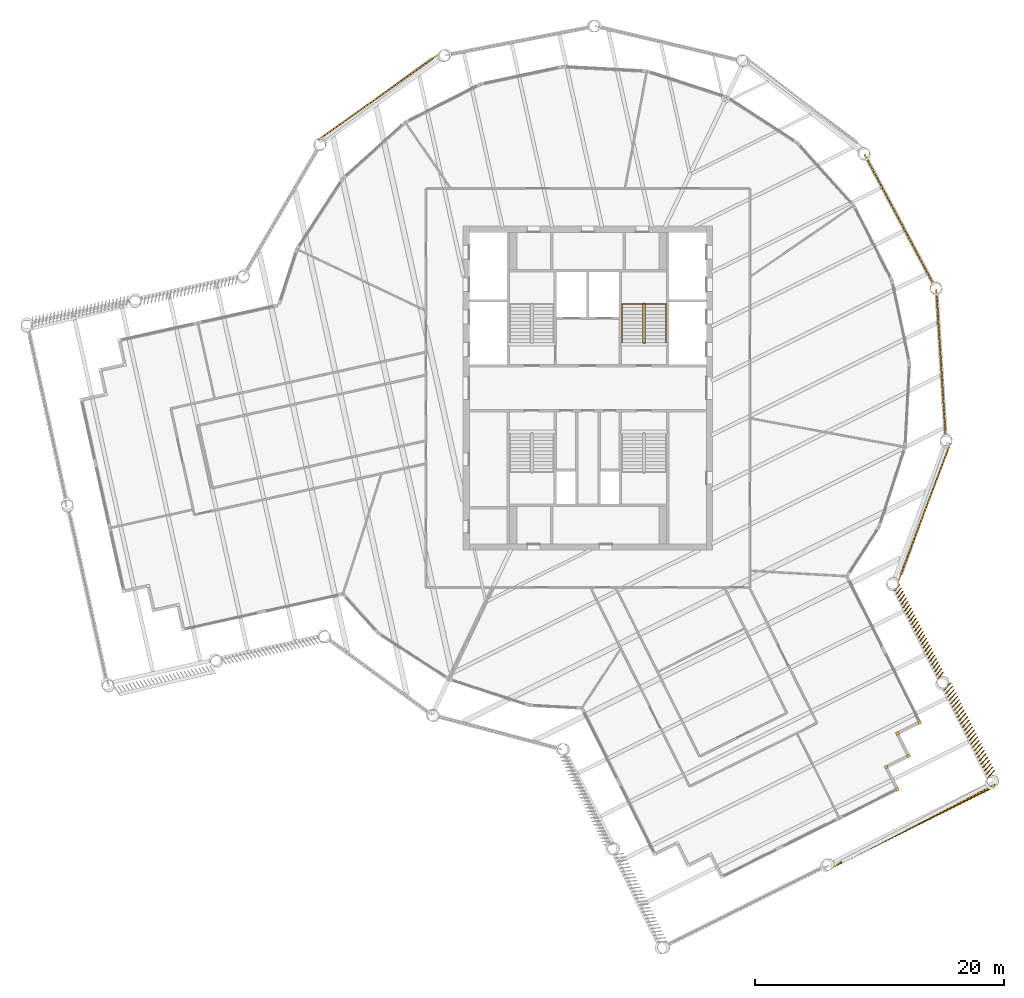
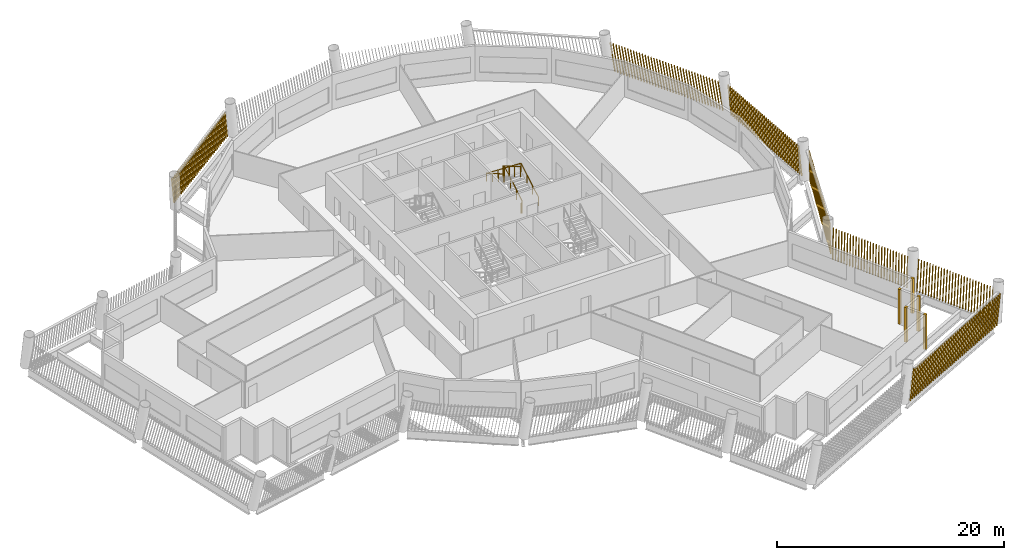
# One storey, part 12 of 14: 12 shading devices, 2 railings.
"""IFC4 building model written with IfcOpenShell, lengths in metres."""

from ifc_helpers import new_model, si_unit, direction, frame, frame_2d, origin, origin_2d, place, context, subcontext, project, spatial, rectangle, circle, composite_profile, extrude, material, type_object, element, save


model = new_model("IFC4")

# Units and contexts
model_context = context("Model", 3, precision=1e-05, world=origin(), true_north=direction((0.0, 1.0)))
body_context = subcontext(model_context, "Body", "Model", "MODEL_VIEW")
ifc_project = project(units=[si_unit("LENGTHUNIT", "METRE"), si_unit("AREAUNIT", "SQUARE_METRE"), si_unit("VOLUMEUNIT", "CUBIC_METRE"), si_unit("PLANEANGLEUNIT", "RADIAN"), si_unit("MASSUNIT", "GRAM", prefix="KILO")], contexts=[model_context])

# Site, building, storey
site_placement = place(None, origin())
site = spatial("IfcSite", under=ifc_project, at=site_placement, CompositionType="ELEMENT")
building_placement = place(site_placement, origin())
building = spatial("IfcBuilding", under=site, at=building_placement, Name="Tarsis Ring Headquarters", CompositionType="ELEMENT")
storey_placement = place(building_placement, frame((0.0, 0.0, 335.300048828125)))
storey = spatial("IfcBuildingStorey", under=building, at=storey_placement, Name="L79", CompositionType="ELEMENT", Elevation=335.300048828125)

# Railings
ifc_material_1 = material(Name="Steel S355", Category="steel")
railing_type_1 = type_object("IfcRailingType", Name="Core stair guard 1100", PredefinedType="GUARDRAIL", material=ifc_material_1)
railing_1_placement = place(storey_placement, frame((4.4599609375, 3.610107421875, 0.0)))
element("IfcRailing", 1, at=railing_1_placement, inside=storey, type_object=railing_type_1, Name="L79 ST2 stair guard 1", PredefinedType="GUARDRAIL", context=body_context, shape_type="SweptSolid", body=[
    extrude(circle(Radius=0.02392578125, at=origin_2d()), frame((0.0, 0.0, 1.076171875), z_axis=(1.0, 0.0, 0.0), x_axis=(0.0, 1.0, 0.0)), (0.0, 0.0, 1.0), 0.080078125),
    extrude(circle(Radius=0.02392578125, at=origin_2d()), frame((0.080078125, 0.0, 1.076171875), z_axis=(0.282693820306, 0.281314826061, 0.917031173188), x_axis=(-0.705375805398, 0.708833529934, 0.0)), (0.0, 0.0, 1.0), 0.177001953125),
    extrude(circle(Radius=0.02392578125, at=origin_2d()), frame((0.130126953125, 0.0498046875, 1.23828125), z_axis=(0.0, 0.864890721111, 0.501960198159), x_axis=(-1.0, 0.0, 0.0)), (0.0, 0.0, 1.0), 3.561279296875),
    extrude(circle(Radius=0.02392578125, at=origin_2d()), frame((0.130126953125, 3.1298828125, 3.02587890625), z_axis=(-0.707106781187, 0.707106781187, 0.0), x_axis=(-0.707106781187, -0.707106781187, 0.0)), (0.0, 0.0, 1.0), 0.07080078125),
    extrude(circle(Radius=0.02392578125, at=origin_2d()), frame((0.080078125, 3.179931640625, 3.02587890625), z_axis=(-1.0, 0.0, 0.0), x_axis=(0.0, -1.0, 0.0)), (0.0, 0.0, 1.0), 0.080078125),
    extrude(circle(Radius=0.02392578125, at=origin_2d()), frame((0.0, 3.179931640625, 3.02587890625), z_axis=(-0.282227285176, -0.282227285176, 0.916894497205), x_axis=(0.707106781187, -0.707106781187, 0.0)), (0.0, 0.0, 1.0), 0.17724609375),
    extrude(circle(Radius=0.02392578125, at=origin_2d()), frame((-0.050048828125, 3.1298828125, 3.1884765625), z_axis=(0.0, -0.864920483161, 0.501908913857), x_axis=(1.0, 0.0, 0.0)), (0.0, 0.0, 1.0), 3.56103515625),
    extrude(circle(Radius=0.02099609375, at=origin_2d()), origin(), (0.0, 0.0, 1.0), 1.052001953125),
    extrude(circle(Radius=0.02099609375, at=origin_2d()), frame((0.080078125, 0.0, 0.0)), (0.0, 0.0, 1.0), 1.052001953125),
    extrude(circle(Radius=0.02099609375, at=origin_2d()), frame((0.130126953125, 0.0498046875, 0.162353515625)), (0.0, 0.0, 1.0), 1.052001953125),
    extrude(circle(Radius=0.02099609375, at=origin_2d()), frame((0.130126953125, 1.076416015625, 0.75830078125)), (0.0, 0.0, 1.0), 1.052001953125),
    extrude(circle(Radius=0.02099609375, at=origin_2d()), frame((0.130126953125, 2.103271484375, 1.35400390625)), (0.0, 0.0, 1.0), 1.052001953125),
    extrude(circle(Radius=0.02099609375, at=origin_2d()), frame((0.130126953125, 3.1298828125, 1.949951171875)), (0.0, 0.0, 1.0), 1.052001953125),
    extrude(circle(Radius=0.02099609375, at=origin_2d()), frame((0.080078125, 3.179931640625, 1.949951171875)), (0.0, 0.0, 1.0), 1.052001953125),
    extrude(circle(Radius=0.02099609375, at=origin_2d()), frame((0.0, 3.179931640625, 1.949951171875)), (0.0, 0.0, 1.0), 1.052001953125),
    extrude(circle(Radius=0.02099609375, at=origin_2d()), frame((-0.050048828125, 3.1298828125, 2.112548828125)), (0.0, 0.0, 1.0), 1.052001953125),
    extrude(circle(Radius=0.02099609375, at=origin_2d()), frame((-0.050048828125, 2.103271484375, 2.708251953125)), (0.0, 0.0, 1.0), 1.052001953125),
    extrude(circle(Radius=0.02099609375, at=origin_2d()), frame((-0.050048828125, 1.076416015625, 3.30419921875)), (0.0, 0.0, 1.0), 1.052001953125),
    extrude(circle(Radius=0.02099609375, at=origin_2d()), frame((-0.050048828125, 0.0498046875, 3.89990234375)), (0.0, 0.0, 1.0), 1.052001953125),
])
railing_type_2 = type_object("IfcRailingType", Name="Core stair handrail 900", PredefinedType="HANDRAIL", material=ifc_material_1)
railing_2_placement = place(storey_placement, frame((6.25, 3.659912109375, 0.162353515625)))
element("IfcRailing", 2, at=railing_2_placement, inside=storey, type_object=railing_type_2, Name="L79 ST2 stair handrail 1", PredefinedType="HANDRAIL", context=body_context, shape_type="SweptSolid", body=[
    extrude(circle(Radius=0.02392578125, at=origin_2d()), frame((0.0, 0.0, 0.8759765625), z_axis=(0.0, 0.864890721111, 0.501960198159), x_axis=(-1.0, 0.0, 0.0)), (0.0, 0.0, 1.0), 3.561279296875),
    extrude(circle(Radius=0.02392578125, at=origin_2d()), frame((0.0, 3.080078125, 2.66357421875), z_axis=(-0.998922641604, 0.0, 0.046406422943), x_axis=(0.0, -1.0, 0.0)), (0.0, 0.0, 1.0), 3.503662109375),
    extrude(circle(Radius=0.02392578125, at=origin_2d()), frame((-3.5, 3.080078125, 2.826171875), z_axis=(0.0, -0.864920483161, 0.501908913857), x_axis=(1.0, 0.0, 0.0)), (0.0, 0.0, 1.0), 3.56103515625),
    extrude(circle(Radius=0.02099609375, at=origin_2d()), origin(), (0.0, 0.0, 1.0), 0.851806640625),
    extrude(circle(Radius=0.02099609375, at=origin_2d()), frame((0.0, 1.026611328125, 0.595947265625)), (0.0, 0.0, 1.0), 0.851806640625),
    extrude(circle(Radius=0.02099609375, at=origin_2d()), frame((0.0, 2.053466796875, 1.191650390625)), (0.0, 0.0, 1.0), 0.851806640625),
    extrude(circle(Radius=0.02099609375, at=origin_2d()), frame((0.0, 3.080078125, 1.78759765625)), (0.0, 0.0, 1.0), 0.851806640625),
    extrude(circle(Radius=0.02099609375, at=origin_2d()), frame((-1.166748046875, 3.080078125, 1.841796875)), (0.0, 0.0, 1.0), 0.851806640625),
    extrude(circle(Radius=0.02099609375, at=origin_2d()), frame((-2.333251953125, 3.080078125, 1.89599609375)), (0.0, 0.0, 1.0), 0.851806640625),
    extrude(circle(Radius=0.02099609375, at=origin_2d()), frame((-3.5, 3.080078125, 1.9501953125)), (0.0, 0.0, 1.0), 0.851806640625),
    extrude(circle(Radius=0.02099609375, at=origin_2d()), frame((-3.5, 2.053466796875, 2.5458984375)), (0.0, 0.0, 1.0), 0.851806640625),
    extrude(circle(Radius=0.02099609375, at=origin_2d()), frame((-3.5, 1.026611328125, 3.141845703125)), (0.0, 0.0, 1.0), 0.851806640625),
    extrude(circle(Radius=0.02099609375, at=origin_2d()), frame((-3.5, 0.0, 3.737548828125)), (0.0, 0.0, 1.0), 0.851806640625),
])

# Shading devices
ifc_material_2 = material(Name="Terracotta baguette", Category="masonry")
shading_device_type_1 = type_object("IfcShadingDeviceType", Name="Terracotta baguette screen", PredefinedType="USERDEFINED", material=ifc_material_2)
shading_device_1_placement = place(storey_placement, frame((19.69873046875, -38.422607421875, 0.0), z_axis=(0.0, 0.0, 1.0), x_axis=(0.895088811832, 0.445899087113, 0.0)))
element("IfcShadingDevice", 3, at=shading_device_1_placement, inside=storey, type_object=shading_device_type_1, Name="Baguette screen L79-04", ObjectType="Terracotta baguette screen", PredefinedType="USERDEFINED", context=body_context, shape_type="SweptSolid", body=[
    extrude(composite_profile([rectangle(XDim=0.06005859375, YDim=0.1201171875, at=frame_2d((0.030029296875, 0.0))), rectangle(XDim=0.06005859375, YDim=0.1201171875, at=frame_2d((0.33544921875, 0.0))), rectangle(XDim=0.06005859375, YDim=0.1201171875, at=frame_2d((0.640625, 0.0))), rectangle(XDim=0.06005859375, YDim=0.1201171875, at=frame_2d((0.946044921875, 0.0))), rectangle(XDim=0.06005859375, YDim=0.1201171875, at=frame_2d((1.25146484375, 0.0))), rectangle(XDim=0.06005859375, YDim=0.1201171875, at=frame_2d((1.556640625, 0.0))), rectangle(XDim=0.06005859375, YDim=0.1201171875, at=frame_2d((1.862060546875, 0.0))), rectangle(XDim=0.06005859375, YDim=0.1201171875, at=frame_2d((2.16748046875, 0.0))), rectangle(XDim=0.06005859375, YDim=0.1201171875, at=frame_2d((2.47265625, 0.0))), rectangle(XDim=0.06005859375, YDim=0.1201171875, at=frame_2d((2.778076171875, 0.0))), rectangle(XDim=0.06005859375, YDim=0.1201171875, at=frame_2d((3.08349609375, 0.0))), rectangle(XDim=0.06005859375, YDim=0.1201171875, at=frame_2d((3.388671875, 0.0))), rectangle(XDim=0.06005859375, YDim=0.1201171875, at=frame_2d((3.694091796875, 0.0))), rectangle(XDim=0.06005859375, YDim=0.1201171875, at=frame_2d((3.99951171875, 0.0))), rectangle(XDim=0.06005859375, YDim=0.1201171875, at=frame_2d((4.3046875, 0.0))), rectangle(XDim=0.06005859375, YDim=0.1201171875, at=frame_2d((4.610107421875, 0.0))), rectangle(XDim=0.06005859375, YDim=0.1201171875, at=frame_2d((4.91552734375, 0.0))), rectangle(XDim=0.06005859375, YDim=0.1201171875, at=frame_2d((5.220703125, 0.0))), rectangle(XDim=0.06005859375, YDim=0.1201171875, at=frame_2d((5.526123046875, 0.0))), rectangle(XDim=0.06005859375, YDim=0.1201171875, at=frame_2d((5.83154296875, 0.0))), rectangle(XDim=0.06005859375, YDim=0.1201171875, at=frame_2d((6.13671875, 0.0))), rectangle(XDim=0.06005859375, YDim=0.1201171875, at=frame_2d((6.442138671875, 0.0))), rectangle(XDim=0.06005859375, YDim=0.1201171875, at=frame_2d((6.74755859375, 0.0))), rectangle(XDim=0.06005859375, YDim=0.1201171875, at=frame_2d((7.052734375, 0.0))), rectangle(XDim=0.06005859375, YDim=0.1201171875, at=frame_2d((7.358154296875, 0.0))), rectangle(XDim=0.06005859375, YDim=0.1201171875, at=frame_2d((7.66357421875, 0.0))), rectangle(XDim=0.06005859375, YDim=0.1201171875, at=frame_2d((7.96875, 0.0))), rectangle(XDim=0.06005859375, YDim=0.1201171875, at=frame_2d((8.274169921875, 0.0))), rectangle(XDim=0.06005859375, YDim=0.1201171875, at=frame_2d((8.57958984375, 0.0))), rectangle(XDim=0.06005859375, YDim=0.1201171875, at=frame_2d((8.884765625, 0.0))), rectangle(XDim=0.06005859375, YDim=0.1201171875, at=frame_2d((9.190185546875, 0.0))), rectangle(XDim=0.06005859375, YDim=0.1201171875, at=frame_2d((9.49560546875, 0.0))), rectangle(XDim=0.06005859375, YDim=0.1201171875, at=frame_2d((9.80078125, 0.0))), rectangle(XDim=0.06005859375, YDim=0.1201171875, at=frame_2d((10.106201171875, 0.0))), rectangle(XDim=0.06005859375, YDim=0.1201171875, at=frame_2d((10.41162109375, 0.0))), rectangle(XDim=0.06005859375, YDim=0.1201171875, at=frame_2d((10.716796875, 0.0))), rectangle(XDim=0.06005859375, YDim=0.1201171875, at=frame_2d((11.022216796875, 0.0))), rectangle(XDim=0.06005859375, YDim=0.1201171875, at=frame_2d((11.32763671875, 0.0))), rectangle(XDim=0.06005859375, YDim=0.1201171875, at=frame_2d((11.6328125, 0.0))), rectangle(XDim=0.06005859375, YDim=0.1201171875, at=frame_2d((11.938232421875, 0.0))), rectangle(XDim=0.06005859375, YDim=0.1201171875, at=frame_2d((12.24365234375, 0.0))), rectangle(XDim=0.06005859375, YDim=0.1201171875, at=frame_2d((12.548828125, 0.0))), rectangle(XDim=0.06005859375, YDim=0.1201171875, at=frame_2d((12.854248046875, 0.0))), rectangle(XDim=0.06005859375, YDim=0.1201171875, at=frame_2d((13.15966796875, 0.0))), rectangle(XDim=0.06005859375, YDim=0.1201171875, at=frame_2d((13.46484375, 0.0))), rectangle(XDim=0.06005859375, YDim=0.1201171875, at=frame_2d((13.770263671875, 0.0)))]), origin(), (0.254661184402, 0.046027552718, 0.965934338115), 3.072509765625),
])
shading_device_2_placement = place(storey_placement, frame((32.1083984375, -31.26318359375, 0.0), z_axis=(0.0, 0.0, 1.0), x_axis=(-0.445903361345, 0.895081562037, 0.0)))
element("IfcShadingDevice", 4, at=shading_device_2_placement, inside=storey, type_object=shading_device_type_1, Name="Baguette screen L79-05", ObjectType="Terracotta baguette screen", PredefinedType="USERDEFINED", context=body_context, shape_type="SweptSolid", body=[
    extrude(composite_profile([rectangle(XDim=0.06005859375, YDim=0.1201171875, at=frame_2d((0.030029296875, 0.0))), rectangle(XDim=0.06005859375, YDim=0.1201171875, at=frame_2d((0.33154296875, 0.0))), rectangle(XDim=0.06005859375, YDim=0.1201171875, at=frame_2d((0.63330078125, 0.0))), rectangle(XDim=0.06005859375, YDim=0.1201171875, at=frame_2d((0.934814453125, 0.0))), rectangle(XDim=0.06005859375, YDim=0.1201171875, at=frame_2d((1.236572265625, 0.0))), rectangle(XDim=0.06005859375, YDim=0.1201171875, at=frame_2d((1.5380859375, 0.0))), rectangle(XDim=0.06005859375, YDim=0.1201171875, at=frame_2d((1.83984375, 0.0))), rectangle(XDim=0.06005859375, YDim=0.1201171875, at=frame_2d((2.141357421875, 0.0))), rectangle(XDim=0.06005859375, YDim=0.1201171875, at=frame_2d((2.443115234375, 0.0))), rectangle(XDim=0.06005859375, YDim=0.1201171875, at=frame_2d((2.74462890625, 0.0))), rectangle(XDim=0.06005859375, YDim=0.1201171875, at=frame_2d((3.04638671875, 0.0))), rectangle(XDim=0.06005859375, YDim=0.1201171875, at=frame_2d((3.347900390625, 0.0))), rectangle(XDim=0.06005859375, YDim=0.1201171875, at=frame_2d((3.649658203125, 0.0))), rectangle(XDim=0.06005859375, YDim=0.1201171875, at=frame_2d((3.951171875, 0.0))), rectangle(XDim=0.06005859375, YDim=0.1201171875, at=frame_2d((4.252685546875, 0.0))), rectangle(XDim=0.06005859375, YDim=0.1201171875, at=frame_2d((4.554443359375, 0.0))), rectangle(XDim=0.06005859375, YDim=0.1201171875, at=frame_2d((4.85595703125, 0.0))), rectangle(XDim=0.06005859375, YDim=0.1201171875, at=frame_2d((5.15771484375, 0.0))), rectangle(XDim=0.06005859375, YDim=0.1201171875, at=frame_2d((5.459228515625, 0.0))), rectangle(XDim=0.06005859375, YDim=0.1201171875, at=frame_2d((5.760986328125, 0.0))), rectangle(XDim=0.06005859375, YDim=0.1201171875, at=frame_2d((6.0625, 0.0))), rectangle(XDim=0.06005859375, YDim=0.1201171875, at=frame_2d((6.3642578125, 0.0))), rectangle(XDim=0.06005859375, YDim=0.1201171875, at=frame_2d((6.665771484375, 0.0))), rectangle(XDim=0.06005859375, YDim=0.1201171875, at=frame_2d((6.967529296875, 0.0))), rectangle(XDim=0.06005859375, YDim=0.1201171875, at=frame_2d((7.26904296875, 0.0))), rectangle(XDim=0.06005859375, YDim=0.1201171875, at=frame_2d((7.57080078125, 0.0))), rectangle(XDim=0.06005859375, YDim=0.1201171875, at=frame_2d((7.872314453125, 0.0)))]), origin(), (0.089843037311, -0.226662640514, 0.969820744283), 3.06005859375),
])
shading_device_3_placement = place(storey_placement, frame((28.138916015625, -23.294921875, 0.0), z_axis=(0.0, 0.0, 1.0), x_axis=(-0.445872466634, 0.895081562037, 0.0)))
element("IfcShadingDevice", 5, at=shading_device_3_placement, inside=storey, type_object=shading_device_type_1, Name="Baguette screen L79-06", ObjectType="Terracotta baguette screen", PredefinedType="USERDEFINED", context=body_context, shape_type="SweptSolid", body=[
    extrude(composite_profile([rectangle(XDim=0.06005859375, YDim=0.1201171875, at=frame_2d((0.030029296875, 0.0))), rectangle(XDim=0.06005859375, YDim=0.1201171875, at=frame_2d((0.33154296875, 0.0))), rectangle(XDim=0.06005859375, YDim=0.1201171875, at=frame_2d((0.63330078125, 0.0))), rectangle(XDim=0.06005859375, YDim=0.1201171875, at=frame_2d((0.934814453125, 0.0))), rectangle(XDim=0.06005859375, YDim=0.1201171875, at=frame_2d((1.236572265625, 0.0))), rectangle(XDim=0.06005859375, YDim=0.1201171875, at=frame_2d((1.5380859375, 0.0))), rectangle(XDim=0.06005859375, YDim=0.1201171875, at=frame_2d((1.83984375, 0.0))), rectangle(XDim=0.06005859375, YDim=0.1201171875, at=frame_2d((2.141357421875, 0.0))), rectangle(XDim=0.06005859375, YDim=0.1201171875, at=frame_2d((2.443115234375, 0.0))), rectangle(XDim=0.06005859375, YDim=0.1201171875, at=frame_2d((2.74462890625, 0.0))), rectangle(XDim=0.06005859375, YDim=0.1201171875, at=frame_2d((3.04638671875, 0.0))), rectangle(XDim=0.06005859375, YDim=0.1201171875, at=frame_2d((3.347900390625, 0.0))), rectangle(XDim=0.06005859375, YDim=0.1201171875, at=frame_2d((3.649658203125, 0.0))), rectangle(XDim=0.06005859375, YDim=0.1201171875, at=frame_2d((3.951171875, 0.0))), rectangle(XDim=0.06005859375, YDim=0.1201171875, at=frame_2d((4.252685546875, 0.0))), rectangle(XDim=0.06005859375, YDim=0.1201171875, at=frame_2d((4.554443359375, 0.0))), rectangle(XDim=0.06005859375, YDim=0.1201171875, at=frame_2d((4.85595703125, 0.0))), rectangle(XDim=0.06005859375, YDim=0.1201171875, at=frame_2d((5.15771484375, 0.0))), rectangle(XDim=0.06005859375, YDim=0.1201171875, at=frame_2d((5.459228515625, 0.0))), rectangle(XDim=0.06005859375, YDim=0.1201171875, at=frame_2d((5.760986328125, 0.0))), rectangle(XDim=0.06005859375, YDim=0.1201171875, at=frame_2d((6.0625, 0.0))), rectangle(XDim=0.06005859375, YDim=0.1201171875, at=frame_2d((6.3642578125, 0.0))), rectangle(XDim=0.06005859375, YDim=0.1201171875, at=frame_2d((6.665771484375, 0.0))), rectangle(XDim=0.06005859375, YDim=0.1201171875, at=frame_2d((6.967529296875, 0.0))), rectangle(XDim=0.06005859375, YDim=0.1201171875, at=frame_2d((7.26904296875, 0.0))), rectangle(XDim=0.06005859375, YDim=0.1201171875, at=frame_2d((7.57080078125, 0.0))), rectangle(XDim=0.06005859375, YDim=0.1201171875, at=frame_2d((7.872314453125, 0.0)))]), origin(), (0.090332523298, -0.175732039125, 0.98028479824), 3.02734375),
])
shading_device_4_placement = place(storey_placement, frame((24.920166015625, -15.439208984375, 0.0), z_axis=(0.0, 0.0, 1.0), x_axis=(0.353763347513, 0.935324246896, 0.0)))
element("IfcShadingDevice", 6, at=shading_device_4_placement, inside=storey, type_object=shading_device_type_1, Name="Baguette screen L79-07", ObjectType="Terracotta baguette screen", PredefinedType="USERDEFINED", context=body_context, shape_type="SweptSolid", body=[
    extrude(composite_profile([rectangle(XDim=0.06005859375, YDim=0.1201171875, at=frame_2d((0.030029296875, 0.0))), rectangle(XDim=0.06005859375, YDim=0.1201171875, at=frame_2d((0.33251953125, 0.0))), rectangle(XDim=0.06005859375, YDim=0.1201171875, at=frame_2d((0.634765625, 0.0))), rectangle(XDim=0.06005859375, YDim=0.1201171875, at=frame_2d((0.937255859375, 0.0))), rectangle(XDim=0.06005859375, YDim=0.1201171875, at=frame_2d((1.239501953125, 0.0))), rectangle(XDim=0.06005859375, YDim=0.1201171875, at=frame_2d((1.5419921875, 0.0))), rectangle(XDim=0.06005859375, YDim=0.1201171875, at=frame_2d((1.844482421875, 0.0))), rectangle(XDim=0.06005859375, YDim=0.1201171875, at=frame_2d((2.146728515625, 0.0))), rectangle(XDim=0.06005859375, YDim=0.1201171875, at=frame_2d((2.44921875, 0.0))), rectangle(XDim=0.06005859375, YDim=0.1201171875, at=frame_2d((2.751708984375, 0.0))), rectangle(XDim=0.06005859375, YDim=0.1201171875, at=frame_2d((3.053955078125, 0.0))), rectangle(XDim=0.06005859375, YDim=0.1201171875, at=frame_2d((3.3564453125, 0.0))), rectangle(XDim=0.06005859375, YDim=0.1201171875, at=frame_2d((3.65869140625, 0.0))), rectangle(XDim=0.06005859375, YDim=0.1201171875, at=frame_2d((3.961181640625, 0.0))), rectangle(XDim=0.06005859375, YDim=0.1201171875, at=frame_2d((4.263671875, 0.0))), rectangle(XDim=0.06005859375, YDim=0.1201171875, at=frame_2d((4.56591796875, 0.0))), rectangle(XDim=0.06005859375, YDim=0.1201171875, at=frame_2d((4.868408203125, 0.0))), rectangle(XDim=0.06005859375, YDim=0.1201171875, at=frame_2d((5.1708984375, 0.0))), rectangle(XDim=0.06005859375, YDim=0.1201171875, at=frame_2d((5.47314453125, 0.0))), rectangle(XDim=0.06005859375, YDim=0.1201171875, at=frame_2d((5.775634765625, 0.0))), rectangle(XDim=0.06005859375, YDim=0.1201171875, at=frame_2d((6.077880859375, 0.0))), rectangle(XDim=0.06005859375, YDim=0.1201171875, at=frame_2d((6.38037109375, 0.0))), rectangle(XDim=0.06005859375, YDim=0.1201171875, at=frame_2d((6.682861328125, 0.0))), rectangle(XDim=0.06005859375, YDim=0.1201171875, at=frame_2d((6.985107421875, 0.0))), rectangle(XDim=0.06005859375, YDim=0.1201171875, at=frame_2d((7.28759765625, 0.0))), rectangle(XDim=0.06005859375, YDim=0.1201171875, at=frame_2d((7.590087890625, 0.0))), rectangle(XDim=0.06005859375, YDim=0.1201171875, at=frame_2d((7.892333984375, 0.0))), rectangle(XDim=0.06005859375, YDim=0.1201171875, at=frame_2d((8.19482421875, 0.0))), rectangle(XDim=0.06005859375, YDim=0.1201171875, at=frame_2d((8.4970703125, 0.0))), rectangle(XDim=0.06005859375, YDim=0.1201171875, at=frame_2d((8.799560546875, 0.0))), rectangle(XDim=0.06005859375, YDim=0.1201171875, at=frame_2d((9.10205078125, 0.0))), rectangle(XDim=0.06005859375, YDim=0.1201171875, at=frame_2d((9.404296875, 0.0))), rectangle(XDim=0.06005859375, YDim=0.1201171875, at=frame_2d((9.706787109375, 0.0))), rectangle(XDim=0.06005859375, YDim=0.1201171875, at=frame_2d((10.00927734375, 0.0))), rectangle(XDim=0.06005859375, YDim=0.1201171875, at=frame_2d((10.3115234375, 0.0))), rectangle(XDim=0.06005859375, YDim=0.1201171875, at=frame_2d((10.614013671875, 0.0))), rectangle(XDim=0.06005859375, YDim=0.1201171875, at=frame_2d((10.916259765625, 0.0))), rectangle(XDim=0.06005859375, YDim=0.1201171875, at=frame_2d((11.21875, 0.0)))]), origin(), (0.173291910765, 0.001570390022, 0.984869254033), 3.013427734375),
])
shading_device_5_placement = place(storey_placement, frame((28.6943359375, -3.818359375, 0.0), z_axis=(0.0, 0.0, 1.0), x_axis=(-0.063201302225, 0.998003255562, 0.0)))
element("IfcShadingDevice", 7, at=shading_device_5_placement, inside=storey, type_object=shading_device_type_1, Name="Baguette screen L79-08", ObjectType="Terracotta baguette screen", PredefinedType="USERDEFINED", context=body_context, shape_type="SweptSolid", body=[
    extrude(composite_profile([rectangle(XDim=0.06005859375, YDim=0.1201171875, at=frame_2d((0.030029296875, 0.0))), rectangle(XDim=0.06005859375, YDim=0.1201171875, at=frame_2d((0.33251953125, 0.0))), rectangle(XDim=0.06005859375, YDim=0.1201171875, at=frame_2d((0.634765625, 0.0))), rectangle(XDim=0.06005859375, YDim=0.1201171875, at=frame_2d((0.937255859375, 0.0))), rectangle(XDim=0.06005859375, YDim=0.1201171875, at=frame_2d((1.239501953125, 0.0))), rectangle(XDim=0.06005859375, YDim=0.1201171875, at=frame_2d((1.5419921875, 0.0))), rectangle(XDim=0.06005859375, YDim=0.1201171875, at=frame_2d((1.844482421875, 0.0))), rectangle(XDim=0.06005859375, YDim=0.1201171875, at=frame_2d((2.146728515625, 0.0))), rectangle(XDim=0.06005859375, YDim=0.1201171875, at=frame_2d((2.44921875, 0.0))), rectangle(XDim=0.06005859375, YDim=0.1201171875, at=frame_2d((2.751708984375, 0.0))), rectangle(XDim=0.06005859375, YDim=0.1201171875, at=frame_2d((3.053955078125, 0.0))), rectangle(XDim=0.06005859375, YDim=0.1201171875, at=frame_2d((3.3564453125, 0.0))), rectangle(XDim=0.06005859375, YDim=0.1201171875, at=frame_2d((3.65869140625, 0.0))), rectangle(XDim=0.06005859375, YDim=0.1201171875, at=frame_2d((3.961181640625, 0.0))), rectangle(XDim=0.06005859375, YDim=0.1201171875, at=frame_2d((4.263671875, 0.0))), rectangle(XDim=0.06005859375, YDim=0.1201171875, at=frame_2d((4.56591796875, 0.0))), rectangle(XDim=0.06005859375, YDim=0.1201171875, at=frame_2d((4.868408203125, 0.0))), rectangle(XDim=0.06005859375, YDim=0.1201171875, at=frame_2d((5.1708984375, 0.0))), rectangle(XDim=0.06005859375, YDim=0.1201171875, at=frame_2d((5.47314453125, 0.0))), rectangle(XDim=0.06005859375, YDim=0.1201171875, at=frame_2d((5.775634765625, 0.0))), rectangle(XDim=0.06005859375, YDim=0.1201171875, at=frame_2d((6.077880859375, 0.0))), rectangle(XDim=0.06005859375, YDim=0.1201171875, at=frame_2d((6.38037109375, 0.0))), rectangle(XDim=0.06005859375, YDim=0.1201171875, at=frame_2d((6.682861328125, 0.0))), rectangle(XDim=0.06005859375, YDim=0.1201171875, at=frame_2d((6.985107421875, 0.0))), rectangle(XDim=0.06005859375, YDim=0.1201171875, at=frame_2d((7.28759765625, 0.0))), rectangle(XDim=0.06005859375, YDim=0.1201171875, at=frame_2d((7.590087890625, 0.0))), rectangle(XDim=0.06005859375, YDim=0.1201171875, at=frame_2d((7.892333984375, 0.0))), rectangle(XDim=0.06005859375, YDim=0.1201171875, at=frame_2d((8.19482421875, 0.0))), rectangle(XDim=0.06005859375, YDim=0.1201171875, at=frame_2d((8.4970703125, 0.0))), rectangle(XDim=0.06005859375, YDim=0.1201171875, at=frame_2d((8.799560546875, 0.0))), rectangle(XDim=0.06005859375, YDim=0.1201171875, at=frame_2d((9.10205078125, 0.0))), rectangle(XDim=0.06005859375, YDim=0.1201171875, at=frame_2d((9.404296875, 0.0))), rectangle(XDim=0.06005859375, YDim=0.1201171875, at=frame_2d((9.706787109375, 0.0))), rectangle(XDim=0.06005859375, YDim=0.1201171875, at=frame_2d((10.00927734375, 0.0))), rectangle(XDim=0.06005859375, YDim=0.1201171875, at=frame_2d((10.3115234375, 0.0))), rectangle(XDim=0.06005859375, YDim=0.1201171875, at=frame_2d((10.614013671875, 0.0))), rectangle(XDim=0.06005859375, YDim=0.1201171875, at=frame_2d((10.916259765625, 0.0))), rectangle(XDim=0.06005859375, YDim=0.1201171875, at=frame_2d((11.21875, 0.0)))]), origin(), (0.171102152869, 0.001553680734, 0.985252068945), 3.01220703125),
])
shading_device_6_placement = place(storey_placement, frame((27.71728515625, 8.3486328125, 0.0), z_axis=(0.0, 0.0, 1.0), x_axis=(-0.468952794357, 0.883212154097, 0.0)))
element("IfcShadingDevice", 8, at=shading_device_6_placement, inside=storey, type_object=shading_device_type_1, Name="Baguette screen L79-09", ObjectType="Terracotta baguette screen", PredefinedType="USERDEFINED", context=body_context, shape_type="SweptSolid", body=[
    extrude(composite_profile([rectangle(XDim=0.06005859375, YDim=0.1201171875, at=frame_2d((0.030029296875, 0.0))), rectangle(XDim=0.06005859375, YDim=0.1201171875, at=frame_2d((0.33251953125, 0.0))), rectangle(XDim=0.06005859375, YDim=0.1201171875, at=frame_2d((0.634765625, 0.0))), rectangle(XDim=0.06005859375, YDim=0.1201171875, at=frame_2d((0.937255859375, 0.0))), rectangle(XDim=0.06005859375, YDim=0.1201171875, at=frame_2d((1.239501953125, 0.0))), rectangle(XDim=0.06005859375, YDim=0.1201171875, at=frame_2d((1.5419921875, 0.0))), rectangle(XDim=0.06005859375, YDim=0.1201171875, at=frame_2d((1.844482421875, 0.0))), rectangle(XDim=0.06005859375, YDim=0.1201171875, at=frame_2d((2.146728515625, 0.0))), rectangle(XDim=0.06005859375, YDim=0.1201171875, at=frame_2d((2.44921875, 0.0))), rectangle(XDim=0.06005859375, YDim=0.1201171875, at=frame_2d((2.751708984375, 0.0))), rectangle(XDim=0.06005859375, YDim=0.1201171875, at=frame_2d((3.053955078125, 0.0))), rectangle(XDim=0.06005859375, YDim=0.1201171875, at=frame_2d((3.3564453125, 0.0))), rectangle(XDim=0.06005859375, YDim=0.1201171875, at=frame_2d((3.65869140625, 0.0))), rectangle(XDim=0.06005859375, YDim=0.1201171875, at=frame_2d((3.961181640625, 0.0))), rectangle(XDim=0.06005859375, YDim=0.1201171875, at=frame_2d((4.263671875, 0.0))), rectangle(XDim=0.06005859375, YDim=0.1201171875, at=frame_2d((4.56591796875, 0.0))), rectangle(XDim=0.06005859375, YDim=0.1201171875, at=frame_2d((4.868408203125, 0.0))), rectangle(XDim=0.06005859375, YDim=0.1201171875, at=frame_2d((5.1708984375, 0.0))), rectangle(XDim=0.06005859375, YDim=0.1201171875, at=frame_2d((5.47314453125, 0.0))), rectangle(XDim=0.06005859375, YDim=0.1201171875, at=frame_2d((5.775634765625, 0.0))), rectangle(XDim=0.06005859375, YDim=0.1201171875, at=frame_2d((6.077880859375, 0.0))), rectangle(XDim=0.06005859375, YDim=0.1201171875, at=frame_2d((6.38037109375, 0.0))), rectangle(XDim=0.06005859375, YDim=0.1201171875, at=frame_2d((6.682861328125, 0.0))), rectangle(XDim=0.06005859375, YDim=0.1201171875, at=frame_2d((6.985107421875, 0.0))), rectangle(XDim=0.06005859375, YDim=0.1201171875, at=frame_2d((7.28759765625, 0.0))), rectangle(XDim=0.06005859375, YDim=0.1201171875, at=frame_2d((7.590087890625, 0.0))), rectangle(XDim=0.06005859375, YDim=0.1201171875, at=frame_2d((7.892333984375, 0.0))), rectangle(XDim=0.06005859375, YDim=0.1201171875, at=frame_2d((8.19482421875, 0.0))), rectangle(XDim=0.06005859375, YDim=0.1201171875, at=frame_2d((8.4970703125, 0.0))), rectangle(XDim=0.06005859375, YDim=0.1201171875, at=frame_2d((8.799560546875, 0.0))), rectangle(XDim=0.06005859375, YDim=0.1201171875, at=frame_2d((9.10205078125, 0.0))), rectangle(XDim=0.06005859375, YDim=0.1201171875, at=frame_2d((9.404296875, 0.0))), rectangle(XDim=0.06005859375, YDim=0.1201171875, at=frame_2d((9.706787109375, 0.0))), rectangle(XDim=0.06005859375, YDim=0.1201171875, at=frame_2d((10.00927734375, 0.0))), rectangle(XDim=0.06005859375, YDim=0.1201171875, at=frame_2d((10.3115234375, 0.0))), rectangle(XDim=0.06005859375, YDim=0.1201171875, at=frame_2d((10.614013671875, 0.0))), rectangle(XDim=0.06005859375, YDim=0.1201171875, at=frame_2d((10.916259765625, 0.0))), rectangle(XDim=0.06005859375, YDim=0.1201171875, at=frame_2d((11.21875, 0.0)))]), origin(), (0.171100057835, 0.001551663824, 0.985252435951), 3.01220703125),
])
shading_device_7_placement = place(storey_placement, frame((-12.052001953125, 26.72314453125, 0.0), z_axis=(0.0, 0.0, 1.0), x_axis=(-0.815774623432, -0.578373920215, 0.0)))
element("IfcShadingDevice", 9, at=shading_device_7_placement, inside=storey, type_object=shading_device_type_1, Name="Baguette screen L79-13", ObjectType="Terracotta baguette screen", PredefinedType="USERDEFINED", context=body_context, shape_type="SweptSolid", body=[
    extrude(composite_profile([rectangle(XDim=0.06005859375, YDim=0.1201171875, at=frame_2d((0.030029296875, 0.0))), rectangle(XDim=0.06005859375, YDim=0.1201171875, at=frame_2d((0.33251953125, 0.0))), rectangle(XDim=0.06005859375, YDim=0.1201171875, at=frame_2d((0.634765625, 0.0))), rectangle(XDim=0.06005859375, YDim=0.1201171875, at=frame_2d((0.937255859375, 0.0))), rectangle(XDim=0.06005859375, YDim=0.1201171875, at=frame_2d((1.239501953125, 0.0))), rectangle(XDim=0.06005859375, YDim=0.1201171875, at=frame_2d((1.5419921875, 0.0))), rectangle(XDim=0.06005859375, YDim=0.1201171875, at=frame_2d((1.844482421875, 0.0))), rectangle(XDim=0.06005859375, YDim=0.1201171875, at=frame_2d((2.146728515625, 0.0))), rectangle(XDim=0.06005859375, YDim=0.1201171875, at=frame_2d((2.44921875, 0.0))), rectangle(XDim=0.06005859375, YDim=0.1201171875, at=frame_2d((2.751708984375, 0.0))), rectangle(XDim=0.06005859375, YDim=0.1201171875, at=frame_2d((3.053955078125, 0.0))), rectangle(XDim=0.06005859375, YDim=0.1201171875, at=frame_2d((3.3564453125, 0.0))), rectangle(XDim=0.06005859375, YDim=0.1201171875, at=frame_2d((3.65869140625, 0.0))), rectangle(XDim=0.06005859375, YDim=0.1201171875, at=frame_2d((3.961181640625, 0.0))), rectangle(XDim=0.06005859375, YDim=0.1201171875, at=frame_2d((4.263671875, 0.0))), rectangle(XDim=0.06005859375, YDim=0.1201171875, at=frame_2d((4.56591796875, 0.0))), rectangle(XDim=0.06005859375, YDim=0.1201171875, at=frame_2d((4.868408203125, 0.0))), rectangle(XDim=0.06005859375, YDim=0.1201171875, at=frame_2d((5.1708984375, 0.0))), rectangle(XDim=0.06005859375, YDim=0.1201171875, at=frame_2d((5.47314453125, 0.0))), rectangle(XDim=0.06005859375, YDim=0.1201171875, at=frame_2d((5.775634765625, 0.0))), rectangle(XDim=0.06005859375, YDim=0.1201171875, at=frame_2d((6.077880859375, 0.0))), rectangle(XDim=0.06005859375, YDim=0.1201171875, at=frame_2d((6.38037109375, 0.0))), rectangle(XDim=0.06005859375, YDim=0.1201171875, at=frame_2d((6.682861328125, 0.0))), rectangle(XDim=0.06005859375, YDim=0.1201171875, at=frame_2d((6.985107421875, 0.0))), rectangle(XDim=0.06005859375, YDim=0.1201171875, at=frame_2d((7.28759765625, 0.0))), rectangle(XDim=0.06005859375, YDim=0.1201171875, at=frame_2d((7.590087890625, 0.0))), rectangle(XDim=0.06005859375, YDim=0.1201171875, at=frame_2d((7.892333984375, 0.0))), rectangle(XDim=0.06005859375, YDim=0.1201171875, at=frame_2d((8.19482421875, 0.0))), rectangle(XDim=0.06005859375, YDim=0.1201171875, at=frame_2d((8.4970703125, 0.0))), rectangle(XDim=0.06005859375, YDim=0.1201171875, at=frame_2d((8.799560546875, 0.0))), rectangle(XDim=0.06005859375, YDim=0.1201171875, at=frame_2d((9.10205078125, 0.0))), rectangle(XDim=0.06005859375, YDim=0.1201171875, at=frame_2d((9.404296875, 0.0))), rectangle(XDim=0.06005859375, YDim=0.1201171875, at=frame_2d((9.706787109375, 0.0))), rectangle(XDim=0.06005859375, YDim=0.1201171875, at=frame_2d((10.00927734375, 0.0))), rectangle(XDim=0.06005859375, YDim=0.1201171875, at=frame_2d((10.3115234375, 0.0))), rectangle(XDim=0.06005859375, YDim=0.1201171875, at=frame_2d((10.614013671875, 0.0))), rectangle(XDim=0.06005859375, YDim=0.1201171875, at=frame_2d((10.916259765625, 0.0))), rectangle(XDim=0.06005859375, YDim=0.1201171875, at=frame_2d((11.21875, 0.0)))]), origin(), (0.173294074181, 0.001573134279, 0.984868868988), 3.013427734375),
])
shading_device_type_2 = type_object("IfcShadingDeviceType", Name="Terracotta corner baguette 250x250", PredefinedType="USERDEFINED", material=ifc_material_2)
for number, where, z_axis, x_axis, name in (
    (10, (24.82861328125, -32.180419921875, 0.0), (0.0, 0.0, 1.0), (0.895090067278, 0.445885379286, 0.0), "Corner baguette L79-12"),
    (11, (23.936767578125, -30.39013671875, 0.0), (0.0, 0.0, 1.0), (-0.445885504264, 0.89509000502, 0.0), "Corner baguette L79-13"),
    (12, (25.726806640625, -29.49853515625, 0.0), (0.0, 0.0, 1.0), (0.895090207357, 0.445885098085, 0.0), "Corner baguette L79-14"),
    (13, (24.835205078125, -27.708251953125, 0.0), (0.0, 0.0, 1.0), (-0.445885098085, 0.895090207357, 0.0), "Corner baguette L79-15"),
    (14, (26.625244140625, -26.81640625, 0.0), (0.0, 0.0, 1.0), (0.895089802684, 0.445885910443, 0.0), "Corner baguette L79-16"),
):
    element("IfcShadingDevice", number, at=place(storey_placement, frame(where, z_axis=z_axis, x_axis=x_axis)), inside=storey, type_object=shading_device_type_2, Name=name, ObjectType="Terracotta corner baguette", PredefinedType="USERDEFINED", context=body_context, shape_type="SweptSolid", body=[
        extrude(rectangle(XDim=0.25, YDim=0.25, at=origin_2d()), origin(), (0.0, 0.0, 1.0), 3.739990234375),
    ])

save(model, "model.ifc")
